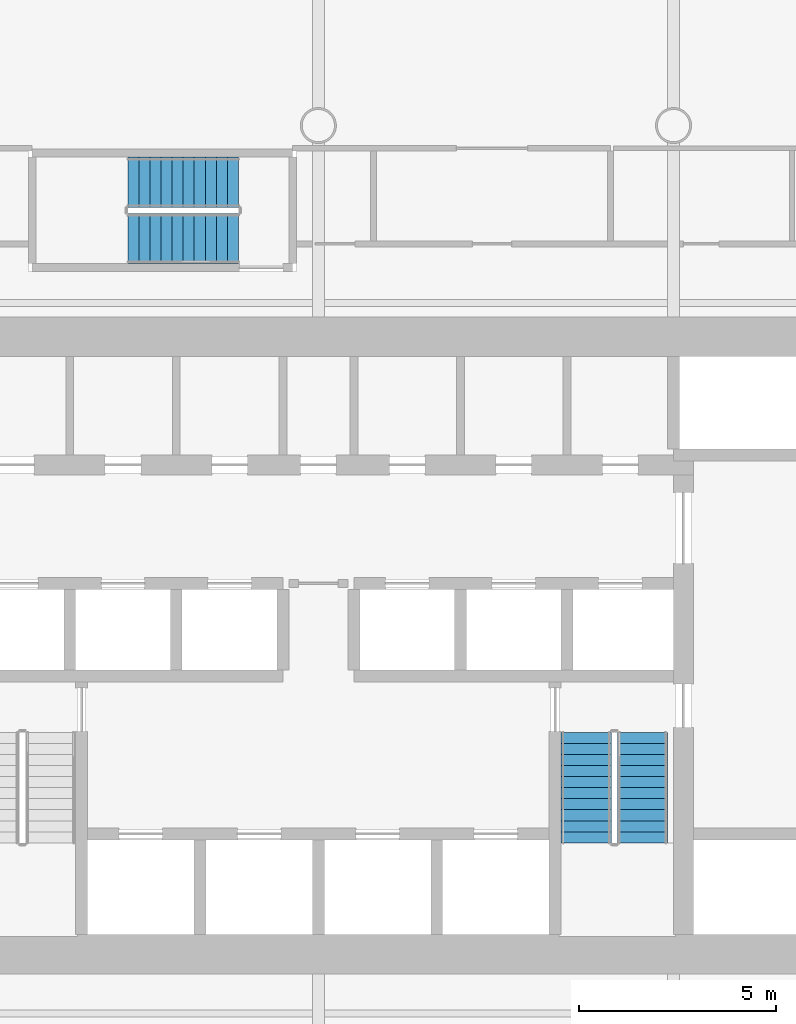
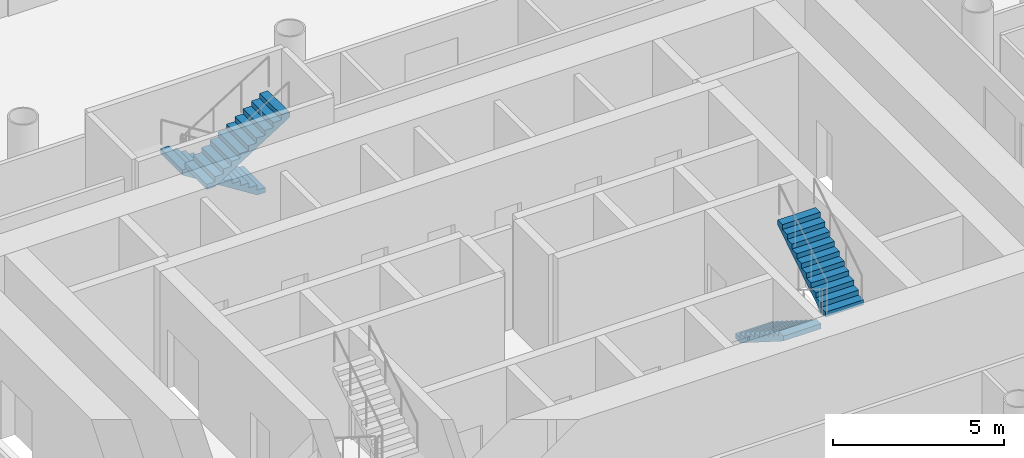
# One storey, part 16 of 21: 4 stair flights, 2 elements without a shape of their own.
"""IFC4 building model written with IfcOpenShell, lengths in metres."""

import ifcopenshell
import ifcopenshell.guid

model = None  # the IFC model being written
_history = None  # IfcOwnerHistory: only IFC2X3 demands one
_inside = {}  # id of a spatial element -> (the spatial element, [elements in it])
_under = {}  # id of a project, library or spatial element -> (it, [spatial elements below it])
_declared = {}  # id of a project -> (the project, [libraries it declares])
_typed = {}  # id of a type object -> (the type object, [elements of that type])
_made_of = {}  # id of a material, layer set ... -> (it, [elements and type objects made of it])


def new_model(schema):
    """Start an empty IFC model of exactly this schema.

    Asked for "IFC4X3", IfcOpenShell would pick the latest addendum, in which some entities
    have other attributes; the version numbers below select the first issue.
    IFC2X3 requires an IfcOwnerHistory on every rooted entity: one is made here for all.
    """
    global model, _history
    if schema == "IFC4X3":
        model = ifcopenshell.file(schema_version=(4, 3, 0, 0))
    else:
        model = ifcopenshell.file(schema=schema)
    _inside.clear()
    _under.clear()
    _declared.clear()
    _typed.clear()
    _made_of.clear()
    _history = None
    if model.schema == "IFC2X3":
        org = make("IfcOrganization", Name="unknown")
        user = make(
            "IfcPersonAndOrganization",
            ThePerson=make("IfcPerson", FamilyName="unknown"),
            TheOrganization=org,
        )
        app = make(
            "IfcApplication",
            ApplicationDeveloper=org,
            Version="unknown",
            ApplicationFullName="unknown",
            ApplicationIdentifier="unknown",
        )
        _history = make(
            "IfcOwnerHistory",
            OwningUser=user,
            OwningApplication=app,
            ChangeAction="ADDED",
            CreationDate=0,
        )
    return model


def make(cls, **values):
    """One entity of the class cls with the attributes given. An attribute that is None is left unset."""
    return model.create_entity(
        cls, **{name: value for name, value in values.items() if value is not None}
    )


def rooted(cls, **values):
    """An entity with a GlobalId (a new one), such as an element, a storey or a relation."""
    return make(cls, GlobalId=ifcopenshell.guid.new(), OwnerHistory=_history, **values)


def si_unit(unit_type, name, prefix=None):
    """IfcSIUnit, for example si_unit("LENGTHUNIT", "METRE", prefix="MILLI")."""
    return make("IfcSIUnit", UnitType=unit_type, Prefix=prefix, Name=name)


def assignment(units):
    """IfcUnitAssignment: the units of a project."""
    return None if units is None else make("IfcUnitAssignment", Units=units)


def point(xyz):
    """IfcCartesianPoint."""
    return None if xyz is None else make("IfcCartesianPoint", Coordinates=xyz)


def direction(xyz):
    """IfcDirection."""
    return None if xyz is None else make("IfcDirection", DirectionRatios=xyz)


def frame(location, z_axis=None, x_axis=None):
    """IfcAxis2Placement3D, a coordinate frame: its origin and axes. An axis left out is left unset."""
    return make(
        "IfcAxis2Placement3D",
        Location=point(location),
        Axis=direction(z_axis),
        RefDirection=direction(x_axis),
    )


def origin():
    """The frame at (0, 0, 0) with its axes left unset."""
    return frame((0.0, 0.0, 0.0))


def place(relative_to, where):
    """IfcLocalPlacement: puts the frame where relative to a parent placement (None: the world)."""
    return make(
        "IfcLocalPlacement", PlacementRelTo=relative_to, RelativePlacement=where
    )


def context(
    kind, dimensions, precision=None, world=None, true_north=None, identifier=None
):
    """IfcGeometricRepresentationContext, for example the 3D "Model" context."""
    return make(
        "IfcGeometricRepresentationContext",
        ContextIdentifier=identifier,
        ContextType=kind,
        CoordinateSpaceDimension=dimensions,
        Precision=precision,
        WorldCoordinateSystem=world,
        TrueNorth=true_north,
    )


def subcontext(parent, identifier, kind, view, scale=None):
    """IfcGeometricRepresentationSubContext, for example "Body" below "Model"."""
    return make(
        "IfcGeometricRepresentationSubContext",
        ContextIdentifier=identifier,
        ContextType=kind,
        ParentContext=parent,
        TargetScale=scale,
        TargetView=view,
    )


def project(units=None, contexts=None):
    """IfcProject with its units and contexts."""
    return rooted(
        "IfcProject",
        Name="project",
        RepresentationContexts=contexts,
        UnitsInContext=assignment(units),
    )


def spatial(cls, under=None, at=None, **own):
    """A site, building, storey or space (cls), placed at a placement, below another one or the project."""
    s = rooted(cls, ObjectPlacement=at, **own)
    if under is not None:
        _under.setdefault(under.id(), (under, []))[1].append(s)
    return s


def polyline(points):
    """IfcPolyline through the points."""
    return make("IfcPolyline", Points=[point(p) for p in points])


def outline(outer, holes=None, kind="AREA"):
    """IfcArbitraryClosedProfileDef: a profile drawn as a closed curve; with holes, ...WithVoids."""
    if holes is None:
        return make("IfcArbitraryClosedProfileDef", ProfileType=kind, OuterCurve=outer)
    return make(
        "IfcArbitraryProfileDefWithVoids",
        ProfileType=kind,
        OuterCurve=outer,
        InnerCurves=holes,
    )


def extrude(swept, where, along, depth):
    """IfcExtrudedAreaSolid: the profile swept, set in the frame where, extruded along a direction by depth."""
    return make(
        "IfcExtrudedAreaSolid",
        SweptArea=swept,
        Position=where,
        ExtrudedDirection=direction(along),
        Depth=depth,
    )


def shape(context_of_items, identifier, shape_type, items):
    """IfcShapeRepresentation: the items that make up one representation, for example the "Body"."""
    return make(
        "IfcShapeRepresentation",
        ContextOfItems=context_of_items,
        RepresentationIdentifier=identifier,
        RepresentationType=shape_type,
        Items=items,
    )


def material(Name=None, Category=None):
    """IfcMaterial."""
    return make("IfcMaterial", Name=Name, Category=Category)


def made_of(thing, what):
    """Note that an element or type object is made of a material, layer set ...; save() writes the relation."""
    if what is not None:
        _made_of.setdefault(what.id(), (what, []))[1].append(thing)
    return thing


def type_object(cls, material=None, **own):
    """A type object (cls), such as IfcWallType, which elements share."""
    return made_of(rooted(cls, **own), material)


def element(
    cls,
    number,
    at=None,
    inside=None,
    cuts=None,
    type_object=None,
    material=None,
    context=None,
    identifier="Body",
    shape_type=None,
    held_by="IfcProductDefinitionShape",
    body=None,
    shapes=None,
    **own,
):
    """One element of the class cls, such as IfcWall. Its Tag is "e" and its number.

    at: its placement. inside: the storey or other place that contains it. cuts: it is an
    opening in that element (IfcRelVoidsElement). A single representation is given by context,
    identifier, shape_type and body (its items); several are given by shapes. held_by: the class
    of the entity that holds the representations. save() writes the other relations.
    """
    e = rooted(cls, Tag="e%d" % number, ObjectPlacement=at, **own)
    if body is not None:
        shapes = [shape(context, identifier, shape_type, body)]
    if shapes is not None:
        e.Representation = make(held_by, Representations=shapes)
    if inside is not None:
        _inside.setdefault(inside.id(), (inside, []))[1].append(e)
    if cuts is not None:
        rooted(
            "IfcRelVoidsElement", RelatingBuildingElement=cuts, RelatedOpeningElement=e
        )
    if type_object is not None:
        _typed.setdefault(type_object.id(), (type_object, []))[1].append(e)
    return made_of(e, material)


def aggregate(whole, parts):
    """IfcRelAggregates: a whole, such as a stair, and the parts it consists of."""
    return rooted("IfcRelAggregates", RelatingObject=whole, RelatedObjects=parts)


def save(model, path):
    """Write the relations noted so far, then the file.

    IfcRelAggregates (storeys below a building ...), IfcRelContainedInSpatialStructure (elements
    in a storey), IfcRelDefinesByType, IfcRelAssociatesMaterial and IfcRelDeclares: one each for
    every whole, place, type object, material and project.
    """
    for whole, parts in _under.values():
        aggregate(whole, parts)
    for where, things in _inside.values():
        rooted(
            "IfcRelContainedInSpatialStructure",
            RelatedElements=things,
            RelatingStructure=where,
        )
    for kind, things in _typed.values():
        rooted("IfcRelDefinesByType", RelatedObjects=things, RelatingType=kind)
    for what, things in _made_of.values():
        rooted("IfcRelAssociatesMaterial", RelatedObjects=things, RelatingMaterial=what)
    for by, libraries in _declared.values():
        rooted("IfcRelDeclares", RelatingContext=by, RelatedDefinitions=libraries)
    model.write(path)


model = new_model("IFC4")

# Units and contexts
model_context = context("Model", 3, precision=1e-05, world=origin(), true_north=direction((0.0, 1.0)))
body_context = subcontext(model_context, "Body", "Model", "MODEL_VIEW")
ifc_project = project(units=[si_unit("LENGTHUNIT", "METRE"), si_unit("AREAUNIT", "SQUARE_METRE"), si_unit("VOLUMEUNIT", "CUBIC_METRE"), si_unit("PLANEANGLEUNIT", "RADIAN"), si_unit("MASSUNIT", "GRAM", prefix="KILO")], contexts=[model_context])

# Site, building, storey
site_placement = place(None, origin())
site = spatial("IfcSite", under=ifc_project, at=site_placement, CompositionType="ELEMENT")
building_placement = place(site_placement, origin())
building = spatial("IfcBuilding", under=site, at=building_placement, Name="Tskaro Facet Tower", CompositionType="ELEMENT")
storey_placement = place(building_placement, frame((0.0, 0.0, 42.0)))
storey = spatial("IfcBuildingStorey", under=building, at=storey_placement, Name="L09", CompositionType="ELEMENT", Elevation=42.0)

# Stair, stair flights
ifc_material = material(Name="Concrete C40/50", Category="concrete")
stair_type = type_object("IfcStairType", Name="ST-TWR", PredefinedType="HALF_TURN_STAIR", material=ifc_material)
stair_1_placement = place(storey_placement, origin())
stair_1 = element("IfcStair", 1, at=stair_1_placement, inside=storey, type_object=stair_type, Name="L09 Exit stair 2", PredefinedType="HALF_TURN_STAIR")
stair_flight_type = type_object("IfcStairFlightType", Name="SFL-RC", PredefinedType="STRAIGHT", material=ifc_material)
stair_flight_1_placement = place(storey_placement, frame((6.78759765625, -6.375, 0.0), z_axis=(0.0, 0.0, 1.0), x_axis=(0.0, -1.0, 0.0)))
stair_flight_1 = element("IfcStairFlight", 2, at=stair_flight_1_placement, type_object=stair_flight_type, Name="ST-2 flight 1", NumberOfRisers=11, NumberOfTreads=10, PredefinedType="STRAIGHT", RiserHeight=0.177272727, TreadLength=0.28, context=body_context, shape_type="SweptSolid", body=[
    extrude(outline(polyline([(0.0, 0.0), (0.0, 0.17724609375), (0.280029296875, 0.17724609375), (0.280029296875, 0.3544921875), (0.56005859375, 0.3544921875), (0.56005859375, 0.53173828125), (0.840087890625, 0.53173828125), (0.840087890625, 0.708984375), (1.1201171875, 0.708984375), (1.1201171875, 0.886474609375), (1.39990234375, 0.886474609375), (1.39990234375, 1.063720703125), (1.679931640625, 1.063720703125), (1.679931640625, 1.240966796875), (1.9599609375, 1.240966796875), (1.9599609375, 1.418212890625), (2.239990234375, 1.418212890625), (2.239990234375, 1.595458984375), (2.52001953125, 1.595458984375), (2.52001953125, 1.772705078125), (2.800048828125, 1.772705078125), (2.800048828125, 1.949951171875), (2.800048828125, 1.59521484375), (0.2802734375, 0.0), (0.0, 0.0)])), frame((0.0, 0.637451171875, 0.0), z_axis=(0.0, -1.0, 0.0), x_axis=(1.0, 0.0, 0.0)), (0.0, 0.0, 1.0), 1.27490234375),
])
stair_flight_2_placement = place(storey_placement, frame((8.21240234375, -9.175048828125, 1.949951171875), z_axis=(0.0, 0.0, 1.0), x_axis=(0.0, 1.0, 0.0)))
stair_flight_2 = element("IfcStairFlight", 3, at=stair_flight_2_placement, type_object=stair_flight_type, Name="ST-2 flight 2", NumberOfRisers=11, NumberOfTreads=10, PredefinedType="STRAIGHT", RiserHeight=0.177272727, TreadLength=0.28, context=body_context, shape_type="SweptSolid", body=[
    extrude(outline(polyline([(0.0, 0.0), (0.0, 0.17724609375), (0.280029296875, 0.17724609375), (0.280029296875, 0.3544921875), (0.56005859375, 0.3544921875), (0.56005859375, 0.53173828125), (0.840087890625, 0.53173828125), (0.840087890625, 0.708984375), (1.1201171875, 0.708984375), (1.1201171875, 0.886474609375), (1.39990234375, 0.886474609375), (1.39990234375, 1.063720703125), (1.679931640625, 1.063720703125), (1.679931640625, 1.240966796875), (1.9599609375, 1.240966796875), (1.9599609375, 1.418212890625), (2.239990234375, 1.418212890625), (2.239990234375, 1.595458984375), (2.52001953125, 1.595458984375), (2.52001953125, 1.772705078125), (2.800048828125, 1.772705078125), (2.800048828125, 1.949951171875), (2.800048828125, 1.59521484375), (0.2802734375, 0.0), (0.0, 0.0)])), frame((0.0, 0.637451171875, 0.0), z_axis=(0.0, -1.0, 0.0), x_axis=(1.0, 0.0, 0.0)), (0.0, 0.0, 1.0), 1.27490234375),
])
aggregate(stair_1, [stair_flight_1, stair_flight_2])

stair_2_placement = place(storey_placement, origin())
stair_2 = element("IfcStair", 4, at=stair_2_placement, inside=storey, type_object=stair_type, Name="L09 Exit stair 3", PredefinedType="HALF_TURN_STAIR")
stair_flight_3_placement = place(storey_placement, frame((-2.02490234375, 7.5625, 0.0), z_axis=(0.0, 0.0, 1.0), x_axis=(-1.0, 0.0, 0.0)))
stair_flight_3 = element("IfcStairFlight", 5, at=stair_flight_3_placement, type_object=stair_flight_type, Name="ST-3 flight 1", NumberOfRisers=11, NumberOfTreads=10, PredefinedType="STRAIGHT", RiserHeight=0.177272727, TreadLength=0.28, context=body_context, shape_type="SweptSolid", body=[
    extrude(outline(polyline([(0.0, 0.0), (0.0, 0.17724609375), (0.280029296875, 0.17724609375), (0.280029296875, 0.3544921875), (0.56005859375, 0.3544921875), (0.56005859375, 0.53173828125), (0.840087890625, 0.53173828125), (0.840087890625, 0.708984375), (1.1201171875, 0.708984375), (1.1201171875, 0.886474609375), (1.39990234375, 0.886474609375), (1.39990234375, 1.063720703125), (1.679931640625, 1.063720703125), (1.679931640625, 1.240966796875), (1.9599609375, 1.240966796875), (1.9599609375, 1.418212890625), (2.239990234375, 1.418212890625), (2.239990234375, 1.595458984375), (2.52001953125, 1.595458984375), (2.52001953125, 1.772705078125), (2.800048828125, 1.772705078125), (2.800048828125, 1.949951171875), (2.800048828125, 1.59521484375), (0.2802734375, 0.0), (0.0, 0.0)])), frame((0.0, 0.637451171875, 0.0), z_axis=(0.0, -1.0, 0.0), x_axis=(1.0, 0.0, 0.0)), (0.0, 0.0, 1.0), 1.27490234375),
])
stair_flight_4_placement = place(storey_placement, frame((-4.824951171875, 6.137451171875, 1.949951171875), z_axis=(0.0, 0.0, 1.0), x_axis=(1.0, 0.0, 0.0)))
stair_flight_4 = element("IfcStairFlight", 6, at=stair_flight_4_placement, type_object=stair_flight_type, Name="ST-3 flight 2", NumberOfRisers=11, NumberOfTreads=10, PredefinedType="STRAIGHT", RiserHeight=0.177272727, TreadLength=0.28, context=body_context, shape_type="SweptSolid", body=[
    extrude(outline(polyline([(0.0, 0.0), (0.0, 0.17724609375), (0.280029296875, 0.17724609375), (0.280029296875, 0.3544921875), (0.56005859375, 0.3544921875), (0.56005859375, 0.53173828125), (0.840087890625, 0.53173828125), (0.840087890625, 0.708984375), (1.1201171875, 0.708984375), (1.1201171875, 0.886474609375), (1.39990234375, 0.886474609375), (1.39990234375, 1.063720703125), (1.679931640625, 1.063720703125), (1.679931640625, 1.240966796875), (1.9599609375, 1.240966796875), (1.9599609375, 1.418212890625), (2.239990234375, 1.418212890625), (2.239990234375, 1.595458984375), (2.52001953125, 1.595458984375), (2.52001953125, 1.772705078125), (2.800048828125, 1.772705078125), (2.800048828125, 1.949951171875), (2.800048828125, 1.59521484375), (0.2802734375, 0.0), (0.0, 0.0)])), frame((0.0, 0.637451171875, 0.0), z_axis=(0.0, -1.0, 0.0), x_axis=(1.0, 0.0, 0.0)), (0.0, 0.0, 1.0), 1.27490234375),
])
aggregate(stair_2, [stair_flight_3, stair_flight_4])

save(model, "model.ifc")
